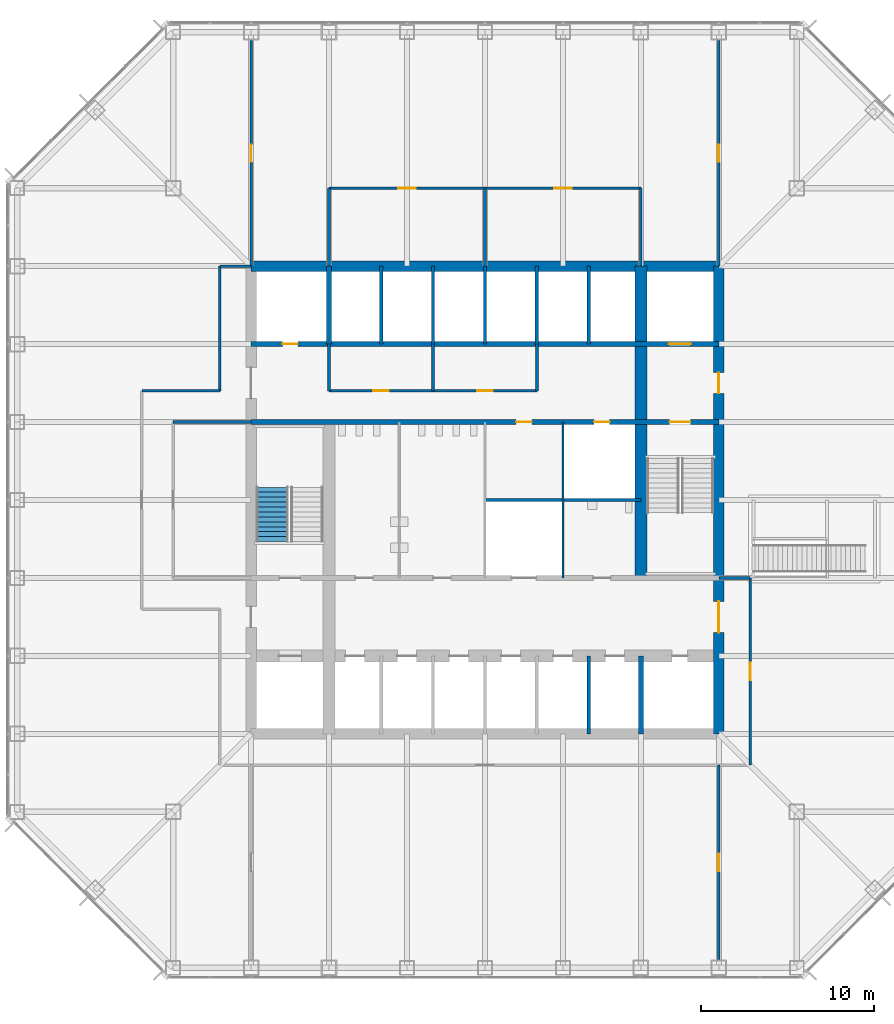
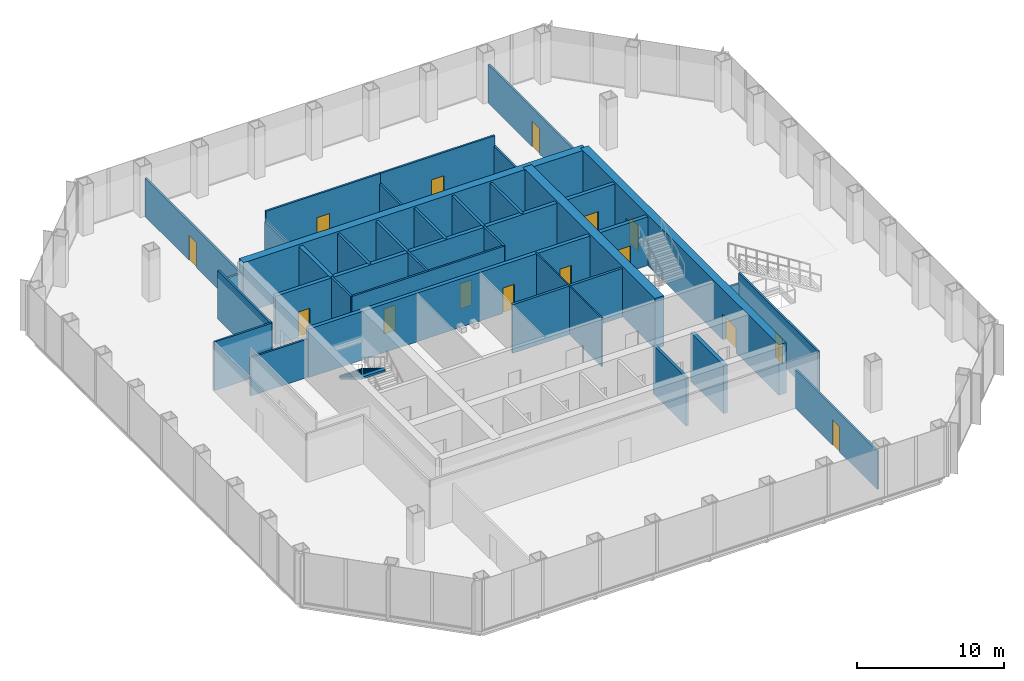
# One storey, part 9 of 12: 33 walls, 15 doors, 1 stair flight, 15 openings, 1 element without a shape of its own.
"""IFC4 building model written with IfcOpenShell, lengths in metres."""

from ifc_helpers import new_model, si_unit, direction, frame, frame_2d, origin, place, context, subcontext, project, spatial, polyline, rectangle, outline, extrude, material, layer, layer_set, type_object, element, fill, aggregate, save


model = new_model("IFC4")

# Units and contexts
model_context = context("Model", 3, precision=1e-05, world=origin(), true_north=direction((0.0, 1.0)))
body_context = subcontext(model_context, "Body", "Model", "MODEL_VIEW")
ifc_project = project(units=[si_unit("LENGTHUNIT", "METRE"), si_unit("AREAUNIT", "SQUARE_METRE"), si_unit("VOLUMEUNIT", "CUBIC_METRE"), si_unit("PLANEANGLEUNIT", "RADIAN"), si_unit("MASSUNIT", "GRAM", prefix="KILO")], contexts=[model_context])

# Site, building, storey
site_placement = place(None, origin())
site = spatial("IfcSite", under=ifc_project, at=site_placement, CompositionType="ELEMENT")
building_placement = place(site_placement, origin())
building = spatial("IfcBuilding", under=site, at=building_placement, Name="Corais Broadcast Tower", CompositionType="ELEMENT")
storey_placement = place(building_placement, frame((0.0, 0.0, 37.39990234375)))
storey = spatial("IfcBuildingStorey", under=building, at=storey_placement, Name="L07", CompositionType="ELEMENT", Elevation=37.39990234375)

# Walls
ifc_material_1 = material(Name="Concrete blockwork class A, grouted, two-hour", Category="masonry")
ifc_layer_1 = layer(ifc_material_1, 0.300048828125)
ifc_layer_set_1 = layer_set([ifc_layer_1], Name="Concrete blockwork class A, grouted, two-hour")
wall_type_1 = type_object("IfcWallType", Name="Core lobby wall 300", PredefinedType="SOLIDWALL", material=ifc_layer_set_1)
for number, where, z_axis, x_axis, name in (
    (1, (18.0, 36.0, 0.0), (0.0, 0.0, 1.0), (0.0, 1.0, 0.0), "CL1 core shaft wall X18B L07"),
    (2, (36.0, 13.5, 0.0), (0.0, 0.0, 1.0), (0.0, 1.0, 0.0), "CL1 core shaft wall X36A L07"),
):
    element("IfcWall", number, at=place(storey_placement, frame(where, z_axis=z_axis, x_axis=x_axis)), inside=storey, type_object=wall_type_1, Name=name, PredefinedType="SOLIDWALL", context=body_context, shape_type="SweptSolid", body=[
        extrude(rectangle(XDim=4.5, YDim=0.300048828125, at=frame_2d((2.25, 0.0))), origin(), (0.0, 0.0, 1.0), 4.0400390625),
    ])

# Wall, openings, doors
wall_1_placement = place(storey_placement, frame((13.5, 31.5, 0.0), z_axis=(0.0, 0.0, 1.0), x_axis=(1.0, 0.0, 0.0)))
wall_1 = element("IfcWall", 3, at=wall_1_placement, inside=storey, type_object=wall_type_1, Name="CL1 core lobby wall Y315 L07", PredefinedType="SOLIDWALL", context=body_context, shape_type="SweptSolid", body=[
    extrude(rectangle(XDim=27.0, YDim=0.300048828125, at=frame_2d((13.5, 0.0))), origin(), (0.0, 0.0, 1.0), 4.0400390625),
])
opening_1_placement = place(wall_1_placement, frame((24.14990234375, 0.0, 0.0)))
opening_1 = element("IfcOpeningElement", 4, at=opening_1_placement, cuts=wall_1, Name="Opening FD1", PredefinedType="OPENING", context=body_context, shape_type="SweptSolid", body=[
    extrude(rectangle(XDim=1.199951171875, YDim=2.10009765625, at=frame_2d((0.60009765625, 1.050048828125))), frame((0.0, 0.159912109375, 0.0), z_axis=(0.0, -1.0, 0.0), x_axis=(1.0, 0.0, 0.0)), (0.0, 0.0, 1.0), 0.320068359375),
])
opening_2_placement = place(wall_1_placement, frame((15.300048828125, 0.0, 0.0)))
opening_2 = element("IfcOpeningElement", 5, at=opening_2_placement, cuts=wall_1, Name="Opening RD1", PredefinedType="OPENING", context=body_context, shape_type="SweptSolid", body=[
    extrude(rectangle(XDim=0.89990234375, YDim=2.10009765625, at=frame_2d((0.449951171875, 1.050048828125))), frame((0.0, 0.159912109375, 0.0), z_axis=(0.0, -1.0, 0.0), x_axis=(1.0, 0.0, 0.0)), (0.0, 0.0, 1.0), 0.320068359375),
])
opening_3_placement = place(wall_1_placement, frame((19.800048828125, 0.0, 0.0)))
opening_3 = element("IfcOpeningElement", 6, at=opening_3_placement, cuts=wall_1, Name="Opening RD1", PredefinedType="OPENING", context=body_context, shape_type="SweptSolid", body=[
    extrude(rectangle(XDim=0.89990234375, YDim=2.10009765625, at=frame_2d((0.449951171875, 1.050048828125))), frame((0.0, 0.159912109375, 0.0), z_axis=(0.0, -1.0, 0.0), x_axis=(1.0, 0.0, 0.0)), (0.0, 0.0, 1.0), 0.320068359375),
])
ifc_material_2 = material(Name="Steel fire door", Category="steel")
door_type_1 = type_object("IfcDoorType", Name="Fire door 1200x2100", OperationType="SINGLE_SWING_LEFT", PredefinedType="DOOR", material=ifc_material_2)
door_1_placement = place(opening_1_placement, origin())
door_1 = element("IfcDoor", 7, at=door_1_placement, inside=storey, type_object=door_type_1, Name="FD1 stair B door L07", OperationType="SINGLE_SWING_RIGHT", OverallHeight=2.10009765625, OverallWidth=1.199951171875, PredefinedType="DOOR", context=body_context, shape_type="SweptSolid", body=[
    extrude(rectangle(XDim=1.199951171875, YDim=2.10009765625, at=frame_2d((0.60009765625, 1.050048828125))), frame((0.0, 0.02490234375, 0.0), z_axis=(0.0, -1.0, 0.0), x_axis=(1.0, 0.0, 0.0)), (0.0, 0.0, 1.0), 0.050048828125),
])
fill(opening_1, door_1)
ifc_material_3 = material(Name="Steel fire door", Category="steel")
door_type_2 = type_object("IfcDoorType", Name="Riser door 900x2100", OperationType="SINGLE_SWING_LEFT", PredefinedType="DOOR", material=ifc_material_3)
door_2_placement = place(opening_2_placement, origin())
door_2 = element("IfcDoor", 8, at=door_2_placement, inside=storey, type_object=door_type_2, Name="RD1 print room door L07", OperationType="SINGLE_SWING_RIGHT", OverallHeight=2.10009765625, OverallWidth=0.89990234375, PredefinedType="DOOR", context=body_context, shape_type="SweptSolid", body=[
    extrude(rectangle(XDim=0.89990234375, YDim=2.10009765625, at=frame_2d((0.449951171875, 1.050048828125))), frame((0.0, 0.02490234375, 0.0), z_axis=(0.0, -1.0, 0.0), x_axis=(1.0, 0.0, 0.0)), (0.0, 0.0, 1.0), 0.050048828125),
])
fill(opening_2, door_2)
door_3_placement = place(opening_3_placement, origin())
door_3 = element("IfcDoor", 9, at=door_3_placement, inside=storey, type_object=door_type_2, Name="RD1 riser door L07", OperationType="SINGLE_SWING_RIGHT", OverallHeight=2.10009765625, OverallWidth=0.89990234375, PredefinedType="DOOR", context=body_context, shape_type="SweptSolid", body=[
    extrude(rectangle(XDim=0.89990234375, YDim=2.10009765625, at=frame_2d((0.449951171875, 1.050048828125))), frame((0.0, 0.02490234375, 0.0), z_axis=(0.0, -1.0, 0.0), x_axis=(1.0, 0.0, 0.0)), (0.0, 0.0, 1.0), 0.050048828125),
])
fill(opening_3, door_3)

# Wall
ifc_material_4 = material(Name="Concrete C50/60", Category="concrete")
ifc_layer_2 = layer(ifc_material_4, 0.699951171875)
ifc_layer_set_2 = layer_set([ifc_layer_2], Name="Concrete C50/60")
wall_type_2 = type_object("IfcWallType", Name="Core spine wall 700", PredefinedType="SHEAR", material=ifc_layer_set_2)
wall_2_placement = place(storey_placement, frame((36.0, 22.5, 0.0), z_axis=(0.0, 0.0, 1.0), x_axis=(0.0, 1.0, 0.0)))
element("IfcWall", 10, at=wall_2_placement, inside=storey, type_object=wall_type_2, Name="CR700 core wall X36B L07", PredefinedType="SHEAR", context=body_context, shape_type="SweptSolid", body=[
    extrude(rectangle(XDim=18.0, YDim=0.699951171875, at=frame_2d((9.0, 0.0))), origin(), (0.0, 0.0, 1.0), 4.2001953125),
])

# Wall, openings, doors
ifc_material_5 = material(Name="Concrete C50/60", Category="concrete")
ifc_layer_3 = layer(ifc_material_5, 0.60009765625)
ifc_layer_set_3 = layer_set([ifc_layer_3], Name="Concrete C50/60")
wall_type_3 = type_object("IfcWallType", Name="Core wall 600", PredefinedType="SHEAR", material=ifc_layer_set_3)
wall_3_placement = place(storey_placement, frame((40.5, 13.5, 0.0), z_axis=(0.0, 0.0, 1.0), x_axis=(0.0, 1.0, 0.0)))
wall_3 = element("IfcWall", 11, at=wall_3_placement, inside=storey, type_object=wall_type_3, Name="CR600 core wall E L07", PredefinedType="SHEAR", context=body_context, shape_type="SweptSolid", body=[
    extrude(rectangle(XDim=27.0, YDim=0.60009765625, at=frame_2d((13.5, 0.0))), origin(), (0.0, 0.0, 1.0), 4.2001953125),
])
opening_4_placement = place(wall_3_placement, frame((5.85009765625, 0.0, 0.0)))
opening_4 = element("IfcOpeningElement", 12, at=opening_4_placement, cuts=wall_3, Name="Opening FD2", PredefinedType="OPENING", context=body_context, shape_type="SweptSolid", body=[
    extrude(rectangle(XDim=1.800048828125, YDim=2.10009765625, at=frame_2d((0.89990234375, 1.050048828125))), frame((0.0, 0.31005859375, 0.0), z_axis=(0.0, -1.0, 0.0), x_axis=(1.0, 0.0, 0.0)), (0.0, 0.0, 1.0), 0.6201171875),
])
opening_5_placement = place(wall_3_placement, frame((19.64990234375, 0.0, 0.0)))
opening_5 = element("IfcOpeningElement", 13, at=opening_5_placement, cuts=wall_3, Name="Opening FD1", PredefinedType="OPENING", context=body_context, shape_type="SweptSolid", body=[
    extrude(rectangle(XDim=1.199951171875, YDim=2.10009765625, at=frame_2d((0.60009765625, 1.050048828125))), frame((0.0, 0.31005859375, 0.0), z_axis=(0.0, -1.0, 0.0), x_axis=(1.0, 0.0, 0.0)), (0.0, 0.0, 1.0), 0.6201171875),
])
door_4_placement = place(opening_5_placement, origin())
door_4 = element("IfcDoor", 14, at=door_4_placement, inside=storey, type_object=door_type_1, Name="FD1 fire lobby B door L07", OperationType="SINGLE_SWING_RIGHT", OverallHeight=2.10009765625, OverallWidth=1.199951171875, PredefinedType="DOOR", context=body_context, shape_type="SweptSolid", body=[
    extrude(rectangle(XDim=1.199951171875, YDim=2.10009765625, at=frame_2d((0.60009765625, 1.050048828125))), frame((0.0, 0.02490234375, 0.0), z_axis=(0.0, -1.0, 0.0), x_axis=(1.0, 0.0, 0.0)), (0.0, 0.0, 1.0), 0.050048828125),
])
fill(opening_5, door_4)
ifc_material_6 = material(Name="Steel fire door", Category="steel")
door_type_3 = type_object("IfcDoorType", Name="Fire door pair 1800x2100", OperationType="DOUBLE_DOOR_SINGLE_SWING", PredefinedType="DOOR", material=ifc_material_6)
door_5_placement = place(opening_4_placement, origin())
door_5 = element("IfcDoor", 15, at=door_5_placement, inside=storey, type_object=door_type_3, Name="FD2 lift lobby door L07", OperationType="SINGLE_SWING_LEFT", OverallHeight=2.10009765625, OverallWidth=1.800048828125, PredefinedType="DOOR", context=body_context, shape_type="SweptSolid", body=[
    extrude(rectangle(XDim=1.800048828125, YDim=2.10009765625, at=frame_2d((0.89990234375, 1.050048828125))), frame((0.0, 0.02490234375, 0.0), z_axis=(0.0, -1.0, 0.0), x_axis=(1.0, 0.0, 0.0)), (0.0, 0.0, 1.0), 0.050048828125),
])
fill(opening_4, door_5)

# Wall
wall_4_placement = place(storey_placement, frame((40.5, 40.5, 0.0), z_axis=(0.0, 0.0, 1.0), x_axis=(-1.0, 0.0, 0.0)))
element("IfcWall", 16, at=wall_4_placement, inside=storey, type_object=wall_type_3, Name="CR600 core wall N L07", PredefinedType="SHEAR", context=body_context, shape_type="SweptSolid", body=[
    extrude(rectangle(XDim=27.0, YDim=0.60009765625, at=frame_2d((13.5, 0.0))), origin(), (0.0, 0.0, 1.0), 4.2001953125),
])

# Wall, openings, doors
ifc_material_7 = material(Name="Concrete blockwork class A, grouted, four-hour", Category="masonry")
ifc_layer_4 = layer(ifc_material_7, 0.300048828125)
ifc_layer_set_4 = layer_set([ifc_layer_4], Name="Concrete blockwork class A, grouted, four-hour")
wall_type_4 = type_object("IfcWallType", Name="Emergency lift shaft wall 300", PredefinedType="SOLIDWALL", material=ifc_layer_set_4)
wall_5_placement = place(storey_placement, frame((13.5, 36.0, 0.0), z_axis=(0.0, 0.0, 1.0), x_axis=(1.0, 0.0, 0.0)))
wall_5 = element("IfcWall", 17, at=wall_5_placement, inside=storey, type_object=wall_type_4, Name="LS1 core lobby wall Y36 L07", PredefinedType="SOLIDWALL", context=body_context, shape_type="SweptSolid", body=[
    extrude(rectangle(XDim=27.0, YDim=0.300048828125, at=frame_2d((13.5, 0.0))), origin(), (0.0, 0.0, 1.0), 4.0400390625),
])
opening_6_placement = place(wall_5_placement, frame((1.800048828125, 0.0, 0.0)))
opening_6 = element("IfcOpeningElement", 18, at=opening_6_placement, cuts=wall_5, Name="Opening RD1", PredefinedType="OPENING", context=body_context, shape_type="SweptSolid", body=[
    extrude(rectangle(XDim=0.89990234375, YDim=2.10009765625, at=frame_2d((0.449951171875, 1.050048828125))), frame((0.0, 0.159912109375, 0.0), z_axis=(0.0, -1.0, 0.0), x_axis=(1.0, 0.0, 0.0)), (0.0, 0.0, 1.0), 0.320068359375),
])
opening_7_placement = place(wall_5_placement, frame((24.10009765625, 0.0, 0.0)))
opening_7 = element("IfcOpeningElement", 19, at=opening_7_placement, cuts=wall_5, Name="Opening LD2", PredefinedType="OPENING", context=body_context, shape_type="SweptSolid", body=[
    extrude(rectangle(XDim=1.300048828125, YDim=2.199951171875, at=frame_2d((0.64990234375, 1.10009765625))), frame((0.0, 0.159912109375, 0.0), z_axis=(0.0, -1.0, 0.0), x_axis=(1.0, 0.0, 0.0)), (0.0, 0.0, 1.0), 0.320068359375),
])
ifc_material_8 = material(Name="Stainless steel lift door", Category="steel")
door_type_4 = type_object("IfcDoorType", Name="Lift landing door 1300x2200", OperationType="SLIDING_TO_LEFT", PredefinedType="DOOR", material=ifc_material_8)
door_6_placement = place(opening_7_placement, origin())
door_6 = element("IfcDoor", 20, at=door_6_placement, inside=storey, type_object=door_type_4, Name="LD2 FL2 landing door L07", OperationType="SLIDING_TO_LEFT", OverallHeight=2.199951171875, OverallWidth=1.300048828125, PredefinedType="DOOR", context=body_context, shape_type="SweptSolid", body=[
    extrude(rectangle(XDim=1.300048828125, YDim=2.199951171875, at=frame_2d((0.64990234375, 1.10009765625))), frame((0.0, 0.02490234375, 0.0), z_axis=(0.0, -1.0, 0.0), x_axis=(1.0, 0.0, 0.0)), (0.0, 0.0, 1.0), 0.050048828125),
])
fill(opening_7, door_6)
door_7_placement = place(opening_6_placement, origin())
door_7 = element("IfcDoor", 21, at=door_7_placement, inside=storey, type_object=door_type_2, Name="RD1 riser door L07", OperationType="SINGLE_SWING_LEFT", OverallHeight=2.10009765625, OverallWidth=0.89990234375, PredefinedType="DOOR", context=body_context, shape_type="SweptSolid", body=[
    extrude(rectangle(XDim=0.89990234375, YDim=2.10009765625, at=frame_2d((0.449951171875, 1.050048828125))), frame((0.0, 0.02490234375, 0.0), z_axis=(0.0, -1.0, 0.0), x_axis=(1.0, 0.0, 0.0)), (0.0, 0.0, 1.0), 0.050048828125),
])
fill(opening_6, door_7)

ifc_material_9 = material(Name="Two layers of fire-rated gypsum board each side on steel studs", Category="steel")
ifc_layer_5 = layer(ifc_material_9, 0.14990234375)
ifc_layer_set_5 = layer_set([ifc_layer_5], Name="Two layers of fire-rated gypsum board each side on steel studs")
wall_type_5 = type_object("IfcWallType", Name="Fire-rated partition 150 EI 60", PredefinedType="PARTITIONING", material=ifc_layer_set_5)
wall_6_placement = place(storey_placement, frame((18.0, 33.300048828125, 0.0), z_axis=(0.0, 0.0, 1.0), x_axis=(1.0, 0.0, 0.0)))
wall_6 = element("IfcWall", 22, at=wall_6_placement, inside=storey, type_object=wall_type_5, Name="IW7 partition L07", PredefinedType="PARTITIONING", context=body_context, shape_type="SweptSolid", body=[
    extrude(rectangle(XDim=12.0, YDim=0.14990234375, at=frame_2d((6.0, 0.0))), origin(), (0.0, 0.0, 1.0), 4.0400390625),
])
opening_8_placement = place(wall_6_placement, frame((2.550048828125, 0.0, 0.0)))
opening_8 = element("IfcOpeningElement", 23, at=opening_8_placement, cuts=wall_6, Name="Opening RD1", PredefinedType="OPENING", context=body_context, shape_type="SweptSolid", body=[
    extrude(rectangle(XDim=0.89990234375, YDim=2.10009765625, at=frame_2d((0.449951171875, 1.050048828125))), frame((0.0, 0.0849609375, 0.0), z_axis=(0.0, -1.0, 0.0), x_axis=(1.0, 0.0, 0.0)), (0.0, 0.0, 1.0), 0.169921875),
])
opening_9_placement = place(wall_6_placement, frame((8.550048828125, 0.0, 0.0)))
opening_9 = element("IfcOpeningElement", 24, at=opening_9_placement, cuts=wall_6, Name="Opening RD1", PredefinedType="OPENING", context=body_context, shape_type="SweptSolid", body=[
    extrude(rectangle(XDim=0.89990234375, YDim=2.10009765625, at=frame_2d((0.449951171875, 1.050048828125))), frame((0.0, 0.0849609375, 0.0), z_axis=(0.0, -1.0, 0.0), x_axis=(1.0, 0.0, 0.0)), (0.0, 0.0, 1.0), 0.169921875),
])
door_8_placement = place(opening_8_placement, origin())
door_8 = element("IfcDoor", 25, at=door_8_placement, inside=storey, type_object=door_type_2, Name="RD1 locker room door L07", OperationType="SINGLE_SWING_LEFT", OverallHeight=2.10009765625, OverallWidth=0.89990234375, PredefinedType="DOOR", context=body_context, shape_type="SweptSolid", body=[
    extrude(rectangle(XDim=0.89990234375, YDim=2.10009765625, at=frame_2d((0.449951171875, 1.050048828125))), frame((0.0, 0.02490234375, 0.0), z_axis=(0.0, -1.0, 0.0), x_axis=(1.0, 0.0, 0.0)), (0.0, 0.0, 1.0), 0.050048828125),
])
fill(opening_8, door_8)
door_9_placement = place(opening_9_placement, origin())
door_9 = element("IfcDoor", 26, at=door_9_placement, inside=storey, type_object=door_type_2, Name="RD1 tea point door L07", OperationType="SINGLE_SWING_RIGHT", OverallHeight=2.10009765625, OverallWidth=0.89990234375, PredefinedType="DOOR", context=body_context, shape_type="SweptSolid", body=[
    extrude(rectangle(XDim=0.89990234375, YDim=2.10009765625, at=frame_2d((0.449951171875, 1.050048828125))), frame((0.0, 0.02490234375, 0.0), z_axis=(0.0, -1.0, 0.0), x_axis=(1.0, 0.0, 0.0)), (0.0, 0.0, 1.0), 0.050048828125),
])
fill(opening_9, door_9)

# Walls
for number, where, z_axis, x_axis, name in (
    (27, (18.0, 33.300048828125, 0.0), (0.0, 0.0, 1.0), (0.0, 1.0, 0.0), "IW7 partition L07"),
    (28, (24.0, 33.300048828125, 0.0), (0.0, 0.0, 1.0), (0.0, 1.0, 0.0), "IW7 partition L07"),
    (29, (30.0, 33.300048828125, 0.0), (0.0, 0.0, 1.0), (0.0, 1.0, 0.0), "IW7 partition L07"),
):
    element("IfcWall", number, at=place(storey_placement, frame(where, z_axis=z_axis, x_axis=x_axis)), inside=storey, type_object=wall_type_5, Name=name, PredefinedType="PARTITIONING", context=body_context, shape_type="SweptSolid", body=[
        extrude(rectangle(XDim=2.699951171875, YDim=0.14990234375, at=frame_2d((1.35009765625, 0.0))), origin(), (0.0, 0.0, 1.0), 4.0400390625),
    ])

# Wall, opening, door
ifc_material_10 = material(Name="Gypsum board on steel studs", Category="steel")
ifc_layer_6 = layer(ifc_material_10, 0.14990234375)
ifc_layer_set_6 = layer_set([ifc_layer_6], Name="Gypsum board on steel studs")
wall_type_6 = type_object("IfcWallType", Name="Partition 150", PredefinedType="PARTITIONING", material=ifc_layer_set_6)
wall_7_placement = place(storey_placement, frame((42.300048828125, 11.699951171875, 0.0), z_axis=(0.0, 0.0, 1.0), x_axis=(0.0, 1.0, 0.0)))
wall_7 = element("IfcWall", 30, at=wall_7_placement, inside=storey, type_object=wall_type_6, Name="IW3 corridor wall L07", PredefinedType="PARTITIONING", context=body_context, shape_type="SweptSolid", body=[
    extrude(rectangle(XDim=10.800048828125, YDim=0.14990234375, at=frame_2d((5.39990234375, 0.0))), origin(), (0.0, 0.0, 1.0), 4.0400390625),
])
opening_10_placement = place(wall_7_placement, frame((4.89990234375, 0.0, 0.0)))
opening_10 = element("IfcOpeningElement", 31, at=opening_10_placement, cuts=wall_7, Name="Opening D1", PredefinedType="OPENING", context=body_context, shape_type="SweptSolid", body=[
    extrude(rectangle(XDim=1.0, YDim=2.10009765625, at=frame_2d((0.5, 1.050048828125))), frame((0.0, 0.0849609375, 0.0), z_axis=(0.0, -1.0, 0.0), x_axis=(1.0, 0.0, 0.0)), (0.0, 0.0, 1.0), 0.169921875),
])
ifc_material_11 = material(Name="Timber door", Category="wood")
door_type_5 = type_object("IfcDoorType", Name="Single door 1000x2100", OperationType="SINGLE_SWING_LEFT", PredefinedType="DOOR", material=ifc_material_11)
door_10_placement = place(opening_10_placement, origin())
door_10 = element("IfcDoor", 32, at=door_10_placement, inside=storey, type_object=door_type_5, Name="D1 workplace door L07", OperationType="SINGLE_SWING_LEFT", OverallHeight=2.10009765625, OverallWidth=1.0, PredefinedType="DOOR", context=body_context, shape_type="SweptSolid", body=[
    extrude(rectangle(XDim=1.0, YDim=2.10009765625, at=frame_2d((0.5, 1.050048828125))), frame((0.0, 0.02490234375, 0.0), z_axis=(0.0, -1.0, 0.0), x_axis=(1.0, 0.0, 0.0)), (0.0, 0.0, 1.0), 0.050048828125),
])
fill(opening_10, door_10)

# Walls
wall_8_placement = place(storey_placement, frame((11.699951171875, 40.5, 0.0), z_axis=(0.0, 0.0, 1.0), x_axis=(0.0, -1.0, 0.0)))
element("IfcWall", 33, at=wall_8_placement, inside=storey, type_object=wall_type_6, Name="IW3 corridor wall L07", PredefinedType="PARTITIONING", context=body_context, shape_type="SweptSolid", body=[
    extrude(rectangle(XDim=7.199951171875, YDim=0.14990234375, at=frame_2d((3.60009765625, 0.0))), origin(), (0.0, 0.0, 1.0), 4.0400390625),
])
wall_9_placement = place(storey_placement, frame((11.699951171875, 33.300048828125, 0.0), z_axis=(0.0, 0.0, 1.0), x_axis=(-1.0, 0.0, 0.0)))
element("IfcWall", 34, at=wall_9_placement, inside=storey, type_object=wall_type_6, Name="IW3 corridor wall L07", PredefinedType="PARTITIONING", context=body_context, shape_type="SweptSolid", body=[
    extrude(rectangle(XDim=4.5, YDim=0.14990234375, at=frame_2d((2.25, 0.0))), origin(), (0.0, 0.0, 1.0), 4.0400390625),
])
wall_10_placement = place(storey_placement, frame((13.510009765625, 40.5, 0.0), z_axis=(0.0, 0.0, 1.0), x_axis=(-1.0, 0.0, 0.0)))
element("IfcWall", 35, at=wall_10_placement, inside=storey, type_object=wall_type_6, Name="IW3 corridor wall L07", PredefinedType="PARTITIONING", context=body_context, shape_type="SweptSolid", body=[
    extrude(rectangle(XDim=1.81005859375, YDim=0.14990234375, at=frame_2d((0.905029296875, 0.0))), origin(), (0.0, 0.0, 1.0), 3.189208984375),
])
wall_11_placement = place(storey_placement, frame((42.300048828125, 22.5, 0.0), z_axis=(0.0, 0.0, 1.0), x_axis=(-1.0, 0.0, 0.0)))
element("IfcWall", 36, at=wall_11_placement, inside=storey, type_object=wall_type_6, Name="IW3 corridor wall L07", PredefinedType="PARTITIONING", context=body_context, shape_type="SweptSolid", body=[
    extrude(rectangle(XDim=1.800048828125, YDim=0.14990234375, at=frame_2d((0.89990234375, 0.0))), origin(), (0.0, 0.0, 1.0), 3.189208984375),
])
wall_12_placement = place(storey_placement, frame((27.0, 40.5, 0.0), z_axis=(0.0, 0.0, 1.0), x_axis=(0.0, 1.0, 0.0)))
element("IfcWall", 37, at=wall_12_placement, inside=storey, type_object=wall_type_6, Name="IW3 partition L07", PredefinedType="PARTITIONING", context=body_context, shape_type="SweptSolid", body=[
    extrude(rectangle(XDim=4.5, YDim=0.14990234375, at=frame_2d((2.25, 0.0))), origin(), (0.0, 0.0, 1.0), 3.189208984375),
])

# Wall, opening, door
wall_13_placement = place(storey_placement, frame((27.0, 45.0, 0.0), z_axis=(0.0, 0.0, 1.0), x_axis=(-1.0, 0.0, 0.0)))
wall_13 = element("IfcWall", 38, at=wall_13_placement, inside=storey, type_object=wall_type_6, Name="IW3 partition L07", PredefinedType="PARTITIONING", context=body_context, shape_type="SweptSolid", body=[
    extrude(rectangle(XDim=9.0, YDim=0.14990234375, at=frame_2d((4.5, 0.0))), origin(), (0.0, 0.0, 1.0), 4.0400390625),
])
opening_11_placement = place(wall_13_placement, frame((4.0, 0.0, 0.0)))
opening_11 = element("IfcOpeningElement", 39, at=opening_11_placement, cuts=wall_13, Name="Opening D1", PredefinedType="OPENING", context=body_context, shape_type="SweptSolid", body=[
    extrude(rectangle(XDim=1.0, YDim=2.10009765625, at=frame_2d((0.5, 1.050048828125))), frame((0.0, 0.0849609375, 0.0), z_axis=(0.0, -1.0, 0.0), x_axis=(1.0, 0.0, 0.0)), (0.0, 0.0, 1.0), 0.169921875),
])
door_11_placement = place(opening_11_placement, origin())
door_11 = element("IfcDoor", 40, at=door_11_placement, inside=storey, type_object=door_type_5, Name="D1 Editorial meeting room door", OperationType="SINGLE_SWING_LEFT", OverallHeight=2.10009765625, OverallWidth=1.0, PredefinedType="DOOR", context=body_context, shape_type="SweptSolid", body=[
    extrude(rectangle(XDim=1.0, YDim=2.10009765625, at=frame_2d((0.5, 1.050048828125))), frame((0.0, 0.02490234375, 0.0), z_axis=(0.0, -1.0, 0.0), x_axis=(1.0, 0.0, 0.0)), (0.0, 0.0, 1.0), 0.050048828125),
])
fill(opening_11, door_11)

# Walls
for number, where, z_axis, x_axis, name in (
    (41, (18.0, 45.0, 0.0), (0.0, 0.0, 1.0), (0.0, -1.0, 0.0), "IW3 partition L07"),
    (42, (36.0, 40.5, 0.0), (0.0, 0.0, 1.0), (0.0, 1.0, 0.0), "IW3 partition L07"),
):
    element("IfcWall", number, at=place(storey_placement, frame(where, z_axis=z_axis, x_axis=x_axis)), inside=storey, type_object=wall_type_6, Name=name, PredefinedType="PARTITIONING", context=body_context, shape_type="SweptSolid", body=[
        extrude(rectangle(XDim=4.5, YDim=0.14990234375, at=frame_2d((2.25, 0.0))), origin(), (0.0, 0.0, 1.0), 3.189208984375),
    ])

# Wall, opening, door
wall_14_placement = place(storey_placement, frame((36.0, 45.0, 0.0), z_axis=(0.0, 0.0, 1.0), x_axis=(-1.0, 0.0, 0.0)))
wall_14 = element("IfcWall", 43, at=wall_14_placement, inside=storey, type_object=wall_type_6, Name="IW3 partition L07", PredefinedType="PARTITIONING", context=body_context, shape_type="SweptSolid", body=[
    extrude(rectangle(XDim=9.0, YDim=0.14990234375, at=frame_2d((4.5, 0.0))), origin(), (0.0, 0.0, 1.0), 4.0400390625),
])
opening_12_placement = place(wall_14_placement, frame((4.0, 0.0, 0.0)))
opening_12 = element("IfcOpeningElement", 44, at=opening_12_placement, cuts=wall_14, Name="Opening D1", PredefinedType="OPENING", context=body_context, shape_type="SweptSolid", body=[
    extrude(rectangle(XDim=1.0, YDim=2.10009765625, at=frame_2d((0.5, 1.050048828125))), frame((0.0, 0.0849609375, 0.0), z_axis=(0.0, -1.0, 0.0), x_axis=(1.0, 0.0, 0.0)), (0.0, 0.0, 1.0), 0.169921875),
])
door_12_placement = place(opening_12_placement, origin())
door_12 = element("IfcDoor", 45, at=door_12_placement, inside=storey, type_object=door_type_5, Name="D1 Edit suite door", OperationType="SINGLE_SWING_LEFT", OverallHeight=2.10009765625, OverallWidth=1.0, PredefinedType="DOOR", context=body_context, shape_type="SweptSolid", body=[
    extrude(rectangle(XDim=1.0, YDim=2.10009765625, at=frame_2d((0.5, 1.050048828125))), frame((0.0, 0.02490234375, 0.0), z_axis=(0.0, -1.0, 0.0), x_axis=(1.0, 0.0, 0.0)), (0.0, 0.0, 1.0), 0.050048828125),
])
fill(opening_12, door_12)

# Wall
wall_15_placement = place(storey_placement, frame((13.5, 31.5, 0.0), z_axis=(0.0, 0.0, 1.0), x_axis=(-1.0, 0.0, 0.0)))
element("IfcWall", 46, at=wall_15_placement, inside=storey, type_object=wall_type_6, Name="IW3 partition L07", PredefinedType="PARTITIONING", context=body_context, shape_type="SweptSolid", body=[
    extrude(rectangle(XDim=4.5, YDim=0.14990234375, at=frame_2d((2.25, 0.0))), origin(), (0.0, 0.0, 1.0), 3.189208984375),
])

# Wall, opening, door
wall_16_placement = place(storey_placement, frame((40.5, 53.530029296875, 0.0), z_axis=(0.0, 0.0, 1.0), x_axis=(0.0, -1.0, 0.0)))
wall_16 = element("IfcWall", 47, at=wall_16_placement, inside=storey, type_object=wall_type_6, Name="IW3 partition L07", PredefinedType="PARTITIONING", context=body_context, shape_type="SweptSolid", body=[
    extrude(rectangle(XDim=13.030029296875, YDim=0.14990234375, at=frame_2d((6.51513671875, 0.0))), origin(), (0.0, 0.0, 1.0), 3.189208984375),
])
opening_13_placement = place(wall_16_placement, frame((6.014892578125, 0.0, 0.0)))
opening_13 = element("IfcOpeningElement", 48, at=opening_13_placement, cuts=wall_16, Name="Opening D1", PredefinedType="OPENING", context=body_context, shape_type="SweptSolid", body=[
    extrude(rectangle(XDim=1.0, YDim=2.10009765625, at=frame_2d((0.5, 1.050048828125))), frame((0.0, 0.0849609375, 0.0), z_axis=(0.0, -1.0, 0.0), x_axis=(1.0, 0.0, 0.0)), (0.0, 0.0, 1.0), 0.169921875),
])
door_13_placement = place(opening_13_placement, origin())
door_13 = element("IfcDoor", 49, at=door_13_placement, inside=storey, type_object=door_type_5, Name="D1 team room door L07", OperationType="SINGLE_SWING_LEFT", OverallHeight=2.10009765625, OverallWidth=1.0, PredefinedType="DOOR", context=body_context, shape_type="SweptSolid", body=[
    extrude(rectangle(XDim=1.0, YDim=2.10009765625, at=frame_2d((0.5, 1.050048828125))), frame((0.0, 0.02490234375, 0.0), z_axis=(0.0, -1.0, 0.0), x_axis=(1.0, 0.0, 0.0)), (0.0, 0.0, 1.0), 0.050048828125),
])
fill(opening_13, door_13)

wall_17_placement = place(storey_placement, frame((13.5, 40.5, 0.0), z_axis=(0.0, 0.0, 1.0), x_axis=(0.0, 1.0, 0.0)))
wall_17 = element("IfcWall", 50, at=wall_17_placement, inside=storey, type_object=wall_type_6, Name="IW3 partition L07", PredefinedType="PARTITIONING", context=body_context, shape_type="SweptSolid", body=[
    extrude(rectangle(XDim=13.030029296875, YDim=0.14990234375, at=frame_2d((6.51513671875, 0.0))), origin(), (0.0, 0.0, 1.0), 3.189208984375),
])
opening_14_placement = place(wall_17_placement, frame((6.014892578125, 0.0, 0.0)))
opening_14 = element("IfcOpeningElement", 51, at=opening_14_placement, cuts=wall_17, Name="Opening D1", PredefinedType="OPENING", context=body_context, shape_type="SweptSolid", body=[
    extrude(rectangle(XDim=1.0, YDim=2.10009765625, at=frame_2d((0.5, 1.050048828125))), frame((0.0, 0.0849609375, 0.0), z_axis=(0.0, -1.0, 0.0), x_axis=(1.0, 0.0, 0.0)), (0.0, 0.0, 1.0), 0.169921875),
])
door_14_placement = place(opening_14_placement, origin())
door_14 = element("IfcDoor", 52, at=door_14_placement, inside=storey, type_object=door_type_5, Name="D1 team room door L07", OperationType="SINGLE_SWING_LEFT", OverallHeight=2.10009765625, OverallWidth=1.0, PredefinedType="DOOR", context=body_context, shape_type="SweptSolid", body=[
    extrude(rectangle(XDim=1.0, YDim=2.10009765625, at=frame_2d((0.5, 1.050048828125))), frame((0.0, 0.02490234375, 0.0), z_axis=(0.0, -1.0, 0.0), x_axis=(1.0, 0.0, 0.0)), (0.0, 0.0, 1.0), 0.050048828125),
])
fill(opening_14, door_14)

wall_18_placement = place(storey_placement, frame((40.5, 0.469970703125, 0.0), z_axis=(0.0, 0.0, 1.0), x_axis=(0.0, 1.0, 0.0)))
wall_18 = element("IfcWall", 53, at=wall_18_placement, inside=storey, type_object=wall_type_6, Name="IW3 partition L07", PredefinedType="PARTITIONING", context=body_context, shape_type="SweptSolid", body=[
    extrude(rectangle(XDim=11.22998046875, YDim=0.14990234375, at=frame_2d((5.614990234375, 0.0))), origin(), (0.0, 0.0, 1.0), 3.189208984375),
])
opening_15_placement = place(wall_18_placement, frame((5.114990234375, 0.0, 0.0)))
opening_15 = element("IfcOpeningElement", 54, at=opening_15_placement, cuts=wall_18, Name="Opening D1", PredefinedType="OPENING", context=body_context, shape_type="SweptSolid", body=[
    extrude(rectangle(XDim=1.0, YDim=2.10009765625, at=frame_2d((0.5, 1.050048828125))), frame((0.0, 0.0849609375, 0.0), z_axis=(0.0, -1.0, 0.0), x_axis=(1.0, 0.0, 0.0)), (0.0, 0.0, 1.0), 0.169921875),
])
door_15_placement = place(opening_15_placement, origin())
door_15 = element("IfcDoor", 55, at=door_15_placement, inside=storey, type_object=door_type_5, Name="D1 team room door L07", OperationType="SINGLE_SWING_LEFT", OverallHeight=2.10009765625, OverallWidth=1.0, PredefinedType="DOOR", context=body_context, shape_type="SweptSolid", body=[
    extrude(rectangle(XDim=1.0, YDim=2.10009765625, at=frame_2d((0.5, 1.050048828125))), frame((0.0, 0.02490234375, 0.0), z_axis=(0.0, -1.0, 0.0), x_axis=(1.0, 0.0, 0.0)), (0.0, 0.0, 1.0), 0.050048828125),
])
fill(opening_15, door_15)

# Walls
ifc_material_12 = material(Name="Concrete blockwork class A, grouted, two-hour", Category="masonry")
ifc_layer_7 = layer(ifc_material_12, 0.199951171875)
ifc_layer_set_7 = layer_set([ifc_layer_7], Name="Concrete blockwork class A, grouted, two-hour")
wall_type_7 = type_object("IfcWallType", Name="Shaft wall 200", PredefinedType="PARTITIONING", material=ifc_layer_set_7)
for number, where, z_axis, x_axis, name in (
    (56, (21.0, 36.0, 0.0), (0.0, 0.0, 1.0), (0.0, 1.0, 0.0), "IW1 shaft wall L07"),
    (57, (24.0, 36.0, 0.0), (0.0, 0.0, 1.0), (0.0, 1.0, 0.0), "IW1 shaft wall L07"),
    (58, (27.0, 36.0, 0.0), (0.0, 0.0, 1.0), (0.0, 1.0, 0.0), "IW1 shaft wall L07"),
    (59, (30.0, 36.0, 0.0), (0.0, 0.0, 1.0), (0.0, 1.0, 0.0), "IW1 shaft wall L07"),
    (60, (33.0, 13.5, 0.0), (0.0, 0.0, 1.0), (0.0, 1.0, 0.0), "IW1 shaft wall L07"),
    (61, (33.0, 36.0, 0.0), (0.0, 0.0, 1.0), (0.0, 1.0, 0.0), "IW1 shaft wall L07"),
):
    element("IfcWall", number, at=place(storey_placement, frame(where, z_axis=z_axis, x_axis=x_axis)), inside=storey, type_object=wall_type_7, Name=name, PredefinedType="PARTITIONING", context=body_context, shape_type="SweptSolid", body=[
        extrude(rectangle(XDim=4.5, YDim=0.199951171875, at=frame_2d((2.25, 0.0))), origin(), (0.0, 0.0, 1.0), 4.0400390625),
    ])
wall_19_placement = place(storey_placement, frame((27.0, 27.0, 0.0), z_axis=(0.0, 0.0, 1.0), x_axis=(1.0, 0.0, 0.0)))
element("IfcWall", 62, at=wall_19_placement, inside=storey, type_object=wall_type_7, Name="IW1 shaft wall L07", PredefinedType="PARTITIONING", context=body_context, shape_type="SweptSolid", body=[
    extrude(rectangle(XDim=9.0, YDim=0.199951171875, at=frame_2d((4.5, 0.0))), origin(), (0.0, 0.0, 1.0), 4.0400390625),
])
ifc_material_13 = material(Name="Dense concrete blockwork class A, tiled both faces", Category="masonry")
ifc_layer_8 = layer(ifc_material_13, 0.10009765625)
ifc_layer_set_8 = layer_set([ifc_layer_8], Name="Dense concrete blockwork class A, tiled both faces")
wall_type_8 = type_object("IfcWallType", Name="Toilet wall 100", PredefinedType="PLUMBINGWALL", material=ifc_layer_set_8)
wall_20_placement = place(storey_placement, frame((31.5, 22.5, 0.0), z_axis=(0.0, 0.0, 1.0), x_axis=(0.0, 1.0, 0.0)))
element("IfcWall", 63, at=wall_20_placement, inside=storey, type_object=wall_type_8, Name="IW2 toilet wall L07", PredefinedType="PLUMBINGWALL", context=body_context, shape_type="SweptSolid", body=[
    extrude(rectangle(XDim=9.0, YDim=0.10009765625, at=frame_2d((4.5, 0.0))), origin(), (0.0, 0.0, 1.0), 4.0400390625),
])

# Stair, stair flight
ifc_material_14 = material(Name="Concrete C30/37", Category="concrete")
stair_type = type_object("IfcStairType", Name="Half-turn stair 4200", PredefinedType="HALF_TURN_STAIR", material=ifc_material_14)
stair_placement = place(storey_placement, origin())
stair = element("IfcStair", 64, at=stair_placement, inside=storey, type_object=stair_type, Name="Stair A L07", PredefinedType="HALF_TURN_STAIR")
ifc_material_15 = material(Name="Concrete C30/37", Category="concrete")
stair_flight_type = type_object("IfcStairFlightType", Name="Stair flight 4200", PredefinedType="STRAIGHT", material=ifc_material_15)
stair_flight_placement = place(storey_placement, frame((14.72509765625, 27.735107421875, 2.10009765625), z_axis=(0.0, 0.0, 1.0), x_axis=(0.0, -1.0, 0.0)))
stair_flight = element("IfcStairFlight", 65, at=stair_flight_placement, type_object=stair_flight_type, Name="STA flight 2", NumberOfRisers=12, NumberOfTreads=11, PredefinedType="STRAIGHT", RiserHeight=0.175, TreadLength=0.285, context=body_context, shape_type="SweptSolid", body=[
    extrude(outline(polyline([(0.0, 0.0), (0.0, 0.175048828125), (0.284912109375, 0.175048828125), (0.284912109375, 0.35009765625), (0.570068359375, 0.35009765625), (0.570068359375, 0.52490234375), (0.85498046875, 0.52490234375), (0.85498046875, 0.699951171875), (1.139892578125, 0.699951171875), (1.139892578125, 0.875), (1.425048828125, 0.875), (1.425048828125, 1.050048828125), (1.7099609375, 1.050048828125), (1.7099609375, 1.22509765625), (1.9951171875, 1.22509765625), (1.9951171875, 1.39990234375), (2.280029296875, 1.39990234375), (2.280029296875, 1.574951171875), (2.56494140625, 1.574951171875), (2.56494140625, 1.75), (2.85009765625, 1.75), (2.85009765625, 1.925048828125), (3.135009765625, 1.925048828125), (3.135009765625, 2.10009765625), (3.135009765625, 1.7490234375), (0.286376953125, 0.0), (0.0, 0.0)])), frame((0.0, 0.925048828125, 0.0), z_axis=(0.0, -1.0, 0.0), x_axis=(1.0, 0.0, 0.0)), (0.0, 0.0, 1.0), 1.85009765625),
])
aggregate(stair, [stair_flight])

save(model, "model.ifc")
